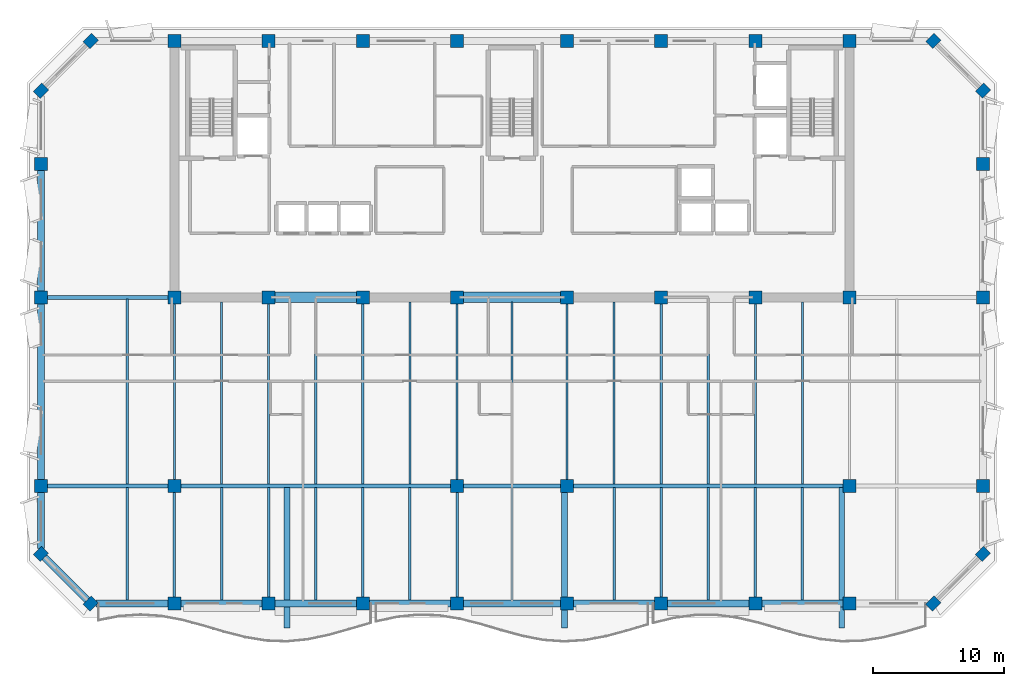
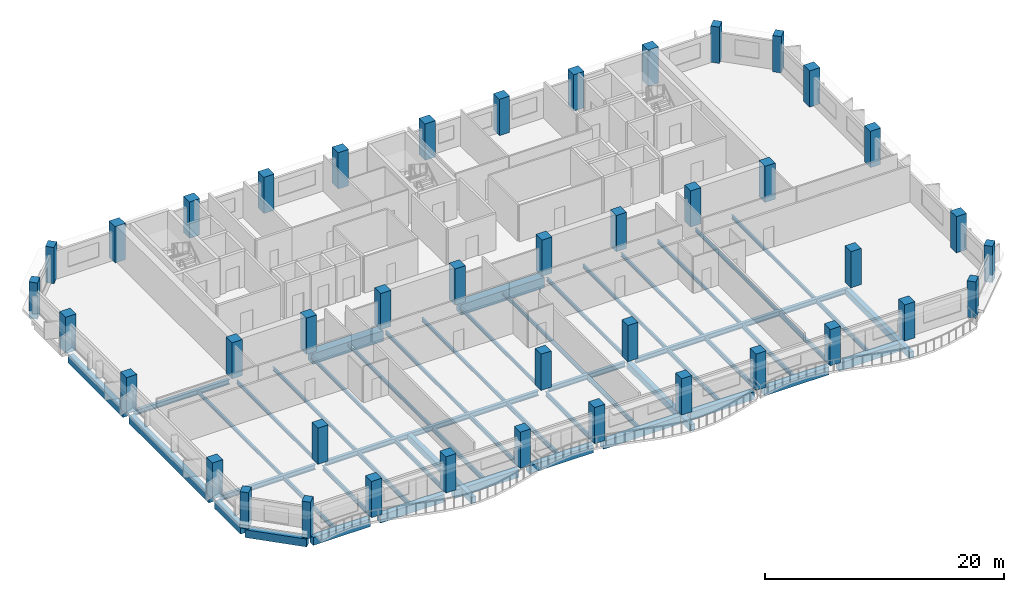
# One storey, part 1 of 11: 51 beams, 42 columns.
"""IFC4 building model written with IfcOpenShell, lengths in metres."""

from ifc_helpers import new_model, si_unit, direction, frame, origin, origin_2d, place, context, subcontext, project, spatial, rectangle, i_section, extrude, material, material_profile, profile_set, type_object, element, save


model = new_model("IFC4")

# Units and contexts
model_context = context("Model", 3, precision=1e-05, world=origin(), true_north=direction((0.0, 1.0)))
body_context = subcontext(model_context, "Body", "Model", "MODEL_VIEW")
ifc_project = project(units=[si_unit("LENGTHUNIT", "METRE"), si_unit("AREAUNIT", "SQUARE_METRE"), si_unit("VOLUMEUNIT", "CUBIC_METRE"), si_unit("PLANEANGLEUNIT", "RADIAN"), si_unit("MASSUNIT", "GRAM", prefix="KILO")], contexts=[model_context])

# Site, building, storey
site_placement = place(None, origin())
site = spatial("IfcSite", under=ifc_project, at=site_placement, CompositionType="ELEMENT")
building_placement = place(site_placement, origin())
building = spatial("IfcBuilding", under=site, at=building_placement, Name="Kaelvorn Grand Hotel", CompositionType="ELEMENT")
storey_placement = place(building_placement, frame((0.0, 0.0, 272.60009765625)))
storey = spatial("IfcBuildingStorey", under=building, at=storey_placement, Name="L67", CompositionType="ELEMENT", Elevation=272.60009765625)

# Columns
ifc_material_1 = material(Name="Concrete C60/75", Category="concrete")
ifc_material_profile_1 = material_profile(ifc_material_1, rectangle(XDim=0.89990234375, YDim=0.75, at=origin_2d()), Name="RC PILASTER 900x750")
ifc_profile_set_1 = profile_set([ifc_material_profile_1], Name="Concrete C60/75")
column_type_1 = type_object("IfcColumnType", Name="COL-PIL-900x750-C60", PredefinedType="PILASTER", material=ifc_profile_set_1)
for number, where, z_axis, x_axis, name in (
    (1, (9.800048828125, 6.0, 0.0), (0.0, 0.0, 1.0), (0.707106781187, 0.707106781187, 0.0), "L67 Structural Column CH-01"),
    (2, (74.199951171875, 6.0, 0.0), (0.0, 0.0, 1.0), (0.707106781187, 0.707106781187, 0.0), "L67 Structural Column CH-02"),
    (3, (78.0, 9.800048828125, 0.0), (0.0, 0.0, 1.0), (0.707106781187, 0.707106781187, 0.0), "L67 Structural Column CH-03"),
    (4, (78.0, 45.199951171875, 0.0), (0.0, 0.0, 1.0), (0.707106781187, 0.707106781187, 0.0), "L67 Structural Column CH-04"),
    (5, (74.199951171875, 49.0, 0.0), (0.0, 0.0, 1.0), (0.707106781187, 0.707106781187, 0.0), "L67 Structural Column CH-05"),
    (6, (9.800048828125, 49.0, 0.0), (0.0, 0.0, 1.0), (0.707106781187, 0.707106781187, 0.0), "L67 Structural Column CH-06"),
    (7, (6.0, 45.199951171875, 0.0), (0.0, 0.0, 1.0), (0.707106781187, 0.707106781187, 0.0), "L67 Structural Column CH-07"),
    (8, (6.0, 9.800048828125, 0.0), (0.0, 0.0, 1.0), (0.707106781187, 0.707106781187, 0.0), "L67 Structural Column CH-08"),
):
    element("IfcColumn", number, at=place(storey_placement, frame(where, z_axis=z_axis, x_axis=x_axis)), inside=storey, type_object=column_type_1, Name=name, PredefinedType="PILASTER", context=body_context, shape_type="SweptSolid", body=[
        extrude(rectangle(XDim=0.89990234375, YDim=0.75, at=origin_2d()), origin(), (0.0, 0.0, 1.0), 3.7099609375),
    ])
ifc_material_2 = material(Name="Concrete C50/60", Category="concrete")
ifc_material_profile_2 = material_profile(ifc_material_2, rectangle(XDim=1.0, YDim=1.0, at=origin_2d()), Name="RC COL 1000x1000")
ifc_profile_set_2 = profile_set([ifc_material_profile_2], Name="Concrete C50/60")
column_type_2 = type_object("IfcColumnType", Name="COL-RC-1000-C50", PredefinedType="COLUMN", material=ifc_profile_set_2)
for number, where, z_axis, x_axis, name in (
    (9, (16.199951171875, 6.0, 0.0), (0.0, 0.0, 1.0), (1.0, 0.0, 0.0), "L67 Structural Column S-01"),
    (10, (23.39990234375, 6.0, 0.0), (0.0, 0.0, 1.0), (1.0, 0.0, 0.0), "L67 Structural Column S-02"),
    (11, (30.60009765625, 6.0, 0.0), (0.0, 0.0, 1.0), (1.0, 0.0, 0.0), "L67 Structural Column S-03"),
    (12, (37.800048828125, 6.0, 0.0), (0.0, 0.0, 1.0), (1.0, 0.0, 0.0), "L67 Structural Column S-04"),
    (13, (46.199951171875, 6.0, 0.0), (0.0, 0.0, 1.0), (1.0, 0.0, 0.0), "L67 Structural Column S-05"),
    (14, (53.39990234375, 6.0, 0.0), (0.0, 0.0, 1.0), (1.0, 0.0, 0.0), "L67 Structural Column S-06"),
    (15, (60.60009765625, 6.0, 0.0), (0.0, 0.0, 1.0), (1.0, 0.0, 0.0), "L67 Structural Column S-07"),
    (16, (67.800048828125, 6.0, 0.0), (0.0, 0.0, 1.0), (1.0, 0.0, 0.0), "L67 Structural Column S-08"),
    (17, (6.0, 15.0, 0.0), (0.0, 0.0, 1.0), (1.0, 0.0, 0.0), "L67 Structural Column W-01"),
    (18, (78.0, 15.0, 0.0), (0.0, 0.0, 1.0), (1.0, 0.0, 0.0), "L67 Structural Column E-01"),
    (19, (6.0, 29.39990234375, 0.0), (0.0, 0.0, 1.0), (1.0, 0.0, 0.0), "L67 Structural Column W-02"),
    (20, (78.0, 29.39990234375, 0.0), (0.0, 0.0, 1.0), (1.0, 0.0, 0.0), "L67 Structural Column E-02"),
    (21, (6.0, 39.60009765625, 0.0), (0.0, 0.0, 1.0), (1.0, 0.0, 0.0), "L67 Structural Column W-03"),
    (22, (78.0, 39.60009765625, 0.0), (0.0, 0.0, 1.0), (1.0, 0.0, 0.0), "L67 Structural Column E-03"),
    (23, (16.199951171875, 15.0, 0.0), (0.0, 0.0, 1.0), (1.0, 0.0, 0.0), "L67 Structural Column M-01"),
    (24, (37.800048828125, 15.0, 0.0), (0.0, 0.0, 1.0), (1.0, 0.0, 0.0), "L67 Structural Column M-02"),
    (25, (46.199951171875, 15.0, 0.0), (0.0, 0.0, 1.0), (1.0, 0.0, 0.0), "L67 Structural Column M-03"),
    (26, (67.800048828125, 15.0, 0.0), (0.0, 0.0, 1.0), (1.0, 0.0, 0.0), "L67 Structural Column M-04"),
    (27, (16.199951171875, 29.39990234375, 0.0), (0.0, 0.0, 1.0), (1.0, 0.0, 0.0), "L67 Structural Column CR1-01"),
    (28, (16.199951171875, 49.0, 0.0), (0.0, 0.0, 1.0), (1.0, 0.0, 0.0), "L67 Structural Column CR2-01"),
    (29, (23.39990234375, 29.39990234375, 0.0), (0.0, 0.0, 1.0), (1.0, 0.0, 0.0), "L67 Structural Column CR1-02"),
    (30, (23.39990234375, 49.0, 0.0), (0.0, 0.0, 1.0), (1.0, 0.0, 0.0), "L67 Structural Column CR2-02"),
    (31, (30.60009765625, 29.39990234375, 0.0), (0.0, 0.0, 1.0), (1.0, 0.0, 0.0), "L67 Structural Column CR1-03"),
    (32, (30.60009765625, 49.0, 0.0), (0.0, 0.0, 1.0), (1.0, 0.0, 0.0), "L67 Structural Column CR2-03"),
    (33, (37.800048828125, 29.39990234375, 0.0), (0.0, 0.0, 1.0), (1.0, 0.0, 0.0), "L67 Structural Column CR1-04"),
    (34, (37.800048828125, 49.0, 0.0), (0.0, 0.0, 1.0), (1.0, 0.0, 0.0), "L67 Structural Column CR2-04"),
    (35, (46.199951171875, 29.39990234375, 0.0), (0.0, 0.0, 1.0), (1.0, 0.0, 0.0), "L67 Structural Column CR1-05"),
    (36, (46.199951171875, 49.0, 0.0), (0.0, 0.0, 1.0), (1.0, 0.0, 0.0), "L67 Structural Column CR2-05"),
    (37, (53.39990234375, 29.39990234375, 0.0), (0.0, 0.0, 1.0), (1.0, 0.0, 0.0), "L67 Structural Column CR1-06"),
    (38, (53.39990234375, 49.0, 0.0), (0.0, 0.0, 1.0), (1.0, 0.0, 0.0), "L67 Structural Column CR2-06"),
    (39, (60.60009765625, 29.39990234375, 0.0), (0.0, 0.0, 1.0), (1.0, 0.0, 0.0), "L67 Structural Column CR1-07"),
    (40, (60.60009765625, 49.0, 0.0), (0.0, 0.0, 1.0), (1.0, 0.0, 0.0), "L67 Structural Column CR2-07"),
    (41, (67.800048828125, 29.39990234375, 0.0), (0.0, 0.0, 1.0), (1.0, 0.0, 0.0), "L67 Structural Column CR1-08"),
    (42, (67.800048828125, 49.0, 0.0), (0.0, 0.0, 1.0), (1.0, 0.0, 0.0), "L67 Structural Column CR2-08"),
):
    element("IfcColumn", number, at=place(storey_placement, frame(where, z_axis=z_axis, x_axis=x_axis)), inside=storey, type_object=column_type_2, Name=name, PredefinedType="COLUMN", context=body_context, shape_type="SweptSolid", body=[
        extrude(rectangle(XDim=1.0, YDim=1.0, at=origin_2d()), origin(), (0.0, 0.0, 1.0), 3.7099609375),
    ])

# Beams
ifc_material_3 = material(Name="Steel S355", Category="steel")
ifc_material_profile_3 = material_profile(ifc_material_3, i_section(OverallWidth=0.300048828125, OverallDepth=0.5, WebThickness=0.014404296875, FlangeThickness=0.028076171875, FilletRadius=0.027099609375, at=origin_2d()), Name="HEB 500")
ifc_profile_set_3 = profile_set([ifc_material_profile_3], Name="Steel S355")
beam_type_1 = type_object("IfcBeamType", Name="BM-G-HEB500-S355", PredefinedType="BEAM", material=ifc_profile_set_3)
beam_1_placement = place(storey_placement, frame((6.485107421875, 15.0, -0.489990234375), z_axis=(1.0, 0.0, 0.0), x_axis=(0.0, 1.0, 0.0)))
element("IfcBeam", 43, at=beam_1_placement, inside=storey, type_object=beam_type_1, Name="L67 Primary Spine Steel Girder G-15 01", PredefinedType="BEAM", context=body_context, shape_type="SweptSolid", body=[
    extrude(i_section(OverallWidth=0.300048828125, OverallDepth=0.5, WebThickness=0.014404296875, FlangeThickness=0.028076171875, FilletRadius=0.027099609375, at=origin_2d()), origin(), (0.0, 0.0, 1.0), 9.22998046875),
])
beam_2_placement = place(storey_placement, frame((16.68505859375, 15.0, -0.489990234375), z_axis=(1.0, 0.0, 0.0), x_axis=(0.0, 1.0, 0.0)))
element("IfcBeam", 44, at=beam_2_placement, inside=storey, type_object=beam_type_1, Name="L67 Primary Spine Steel Girder G-15 02", PredefinedType="BEAM", context=body_context, shape_type="SweptSolid", body=[
    extrude(i_section(OverallWidth=0.300048828125, OverallDepth=0.5, WebThickness=0.014404296875, FlangeThickness=0.028076171875, FilletRadius=0.027099609375, at=origin_2d()), origin(), (0.0, 0.0, 1.0), 20.6298828125),
])
beam_3_placement = place(storey_placement, frame((38.284912109375, 15.0, -0.489990234375), z_axis=(1.0, 0.0, 0.0), x_axis=(0.0, 1.0, 0.0)))
element("IfcBeam", 45, at=beam_3_placement, inside=storey, type_object=beam_type_1, Name="L67 Primary Spine Steel Girder G-15 03", PredefinedType="BEAM", context=body_context, shape_type="SweptSolid", body=[
    extrude(i_section(OverallWidth=0.300048828125, OverallDepth=0.5, WebThickness=0.014404296875, FlangeThickness=0.028076171875, FilletRadius=0.027099609375, at=origin_2d()), origin(), (0.0, 0.0, 1.0), 7.43017578125),
])
beam_4_placement = place(storey_placement, frame((46.68505859375, 15.0, -0.489990234375), z_axis=(1.0, 0.0, 0.0), x_axis=(0.0, 1.0, 0.0)))
element("IfcBeam", 46, at=beam_4_placement, inside=storey, type_object=beam_type_1, Name="L67 Primary Spine Steel Girder G-15 04", PredefinedType="BEAM", context=body_context, shape_type="SweptSolid", body=[
    extrude(i_section(OverallWidth=0.300048828125, OverallDepth=0.5, WebThickness=0.014404296875, FlangeThickness=0.028076171875, FilletRadius=0.027099609375, at=origin_2d()), origin(), (0.0, 0.0, 1.0), 20.6298828125),
])
beam_5_placement = place(storey_placement, frame((6.485107421875, 29.39990234375, -0.489990234375), z_axis=(1.0, 0.0, 0.0), x_axis=(0.0, 1.0, 0.0)))
element("IfcBeam", 47, at=beam_5_placement, inside=storey, type_object=beam_type_1, Name="L67 West Core Wing Steel Girder G-29W 01", PredefinedType="BEAM", context=body_context, shape_type="SweptSolid", body=[
    extrude(i_section(OverallWidth=0.300048828125, OverallDepth=0.5, WebThickness=0.014404296875, FlangeThickness=0.028076171875, FilletRadius=0.027099609375, at=origin_2d()), origin(), (0.0, 0.0, 1.0), 9.22998046875),
])
ifc_material_profile_4 = material_profile(ifc_material_3, i_section(OverallWidth=0.169921875, OverallDepth=0.360107421875, WebThickness=0.008056640625, FlangeThickness=0.0126953125, FilletRadius=0.01806640625, at=origin_2d()), Name="IPE 360")
ifc_profile_set_4 = profile_set([ifc_material_profile_4], Name="Steel S355")
beam_type_2 = type_object("IfcBeamType", Name="BM-J-IPE360-S355", PredefinedType="JOIST", material=ifc_profile_set_4)
beam_6_placement = place(storey_placement, frame((12.60009765625, 15.135009765625, -0.420166015625), z_axis=(0.0, 1.0, 0.0), x_axis=(-1.0, 0.0, 0.0)))
element("IfcBeam", 48, at=beam_6_placement, inside=storey, type_object=beam_type_2, Name="L67 Composite Floor Joist JM-04", PredefinedType="JOIST", context=body_context, shape_type="SweptSolid", body=[
    extrude(i_section(OverallWidth=0.169921875, OverallDepth=0.360107421875, WebThickness=0.008056640625, FlangeThickness=0.0126953125, FilletRadius=0.01806640625, at=origin_2d()), origin(), (0.0, 0.0, 1.0), 14.1298828125),
])
beam_7_placement = place(storey_placement, frame((16.199951171875, 15.485107421875, -0.420166015625), z_axis=(0.0, 1.0, 0.0), x_axis=(-1.0, 0.0, 0.0)))
element("IfcBeam", 49, at=beam_7_placement, inside=storey, type_object=beam_type_2, Name="L67 Composite Floor Joist JM-05", PredefinedType="JOIST", context=body_context, shape_type="SweptSolid", body=[
    extrude(i_section(OverallWidth=0.169921875, OverallDepth=0.360107421875, WebThickness=0.008056640625, FlangeThickness=0.0126953125, FilletRadius=0.01806640625, at=origin_2d()), origin(), (0.0, 0.0, 1.0), 13.429931640625),
])
beam_8_placement = place(storey_placement, frame((19.800048828125, 15.135009765625, -0.420166015625), z_axis=(0.0, 1.0, 0.0), x_axis=(-1.0, 0.0, 0.0)))
element("IfcBeam", 50, at=beam_8_placement, inside=storey, type_object=beam_type_2, Name="L67 Composite Floor Joist JM-06", PredefinedType="JOIST", context=body_context, shape_type="SweptSolid", body=[
    extrude(i_section(OverallWidth=0.169921875, OverallDepth=0.360107421875, WebThickness=0.008056640625, FlangeThickness=0.0126953125, FilletRadius=0.01806640625, at=origin_2d()), origin(), (0.0, 0.0, 1.0), 13.925048828125),
])
beam_9_placement = place(storey_placement, frame((23.39990234375, 15.135009765625, -0.420166015625), z_axis=(0.0, 1.0, 0.0), x_axis=(-1.0, 0.0, 0.0)))
element("IfcBeam", 51, at=beam_9_placement, inside=storey, type_object=beam_type_2, Name="L67 Composite Floor Joist JM-07", PredefinedType="JOIST", context=body_context, shape_type="SweptSolid", body=[
    extrude(i_section(OverallWidth=0.169921875, OverallDepth=0.360107421875, WebThickness=0.008056640625, FlangeThickness=0.0126953125, FilletRadius=0.01806640625, at=origin_2d()), origin(), (0.0, 0.0, 1.0), 13.780029296875),
])
beam_10_placement = place(storey_placement, frame((27.0, 15.135009765625, -0.420166015625), z_axis=(0.0, 1.0, 0.0), x_axis=(-1.0, 0.0, 0.0)))
element("IfcBeam", 52, at=beam_10_placement, inside=storey, type_object=beam_type_2, Name="L67 Composite Floor Joist JM-08", PredefinedType="JOIST", context=body_context, shape_type="SweptSolid", body=[
    extrude(i_section(OverallWidth=0.169921875, OverallDepth=0.360107421875, WebThickness=0.008056640625, FlangeThickness=0.0126953125, FilletRadius=0.01806640625, at=origin_2d()), origin(), (0.0, 0.0, 1.0), 13.925048828125),
])
beam_11_placement = place(storey_placement, frame((30.60009765625, 15.135009765625, -0.420166015625), z_axis=(0.0, 1.0, 0.0), x_axis=(-1.0, 0.0, 0.0)))
element("IfcBeam", 53, at=beam_11_placement, inside=storey, type_object=beam_type_2, Name="L67 Composite Floor Joist JM-09", PredefinedType="JOIST", context=body_context, shape_type="SweptSolid", body=[
    extrude(i_section(OverallWidth=0.169921875, OverallDepth=0.360107421875, WebThickness=0.008056640625, FlangeThickness=0.0126953125, FilletRadius=0.01806640625, at=origin_2d()), origin(), (0.0, 0.0, 1.0), 13.780029296875),
])
beam_12_placement = place(storey_placement, frame((34.199951171875, 15.135009765625, -0.420166015625), z_axis=(0.0, 1.0, 0.0), x_axis=(-1.0, 0.0, 0.0)))
element("IfcBeam", 54, at=beam_12_placement, inside=storey, type_object=beam_type_2, Name="L67 Composite Floor Joist JM-10", PredefinedType="JOIST", context=body_context, shape_type="SweptSolid", body=[
    extrude(i_section(OverallWidth=0.169921875, OverallDepth=0.360107421875, WebThickness=0.008056640625, FlangeThickness=0.0126953125, FilletRadius=0.01806640625, at=origin_2d()), origin(), (0.0, 0.0, 1.0), 13.925048828125),
])
beam_13_placement = place(storey_placement, frame((37.800048828125, 15.485107421875, -0.420166015625), z_axis=(0.0, 1.0, 0.0), x_axis=(-1.0, 0.0, 0.0)))
element("IfcBeam", 55, at=beam_13_placement, inside=storey, type_object=beam_type_2, Name="L67 Composite Floor Joist JM-11", PredefinedType="JOIST", context=body_context, shape_type="SweptSolid", body=[
    extrude(i_section(OverallWidth=0.169921875, OverallDepth=0.360107421875, WebThickness=0.008056640625, FlangeThickness=0.0126953125, FilletRadius=0.01806640625, at=origin_2d()), origin(), (0.0, 0.0, 1.0), 13.429931640625),
])
beam_14_placement = place(storey_placement, frame((42.0, 15.135009765625, -0.420166015625), z_axis=(0.0, 1.0, 0.0), x_axis=(-1.0, 0.0, 0.0)))
element("IfcBeam", 56, at=beam_14_placement, inside=storey, type_object=beam_type_2, Name="L67 Composite Floor Joist JM-12", PredefinedType="JOIST", context=body_context, shape_type="SweptSolid", body=[
    extrude(i_section(OverallWidth=0.169921875, OverallDepth=0.360107421875, WebThickness=0.008056640625, FlangeThickness=0.0126953125, FilletRadius=0.01806640625, at=origin_2d()), origin(), (0.0, 0.0, 1.0), 13.925048828125),
])
beam_15_placement = place(storey_placement, frame((46.199951171875, 15.485107421875, -0.420166015625), z_axis=(0.0, 1.0, 0.0), x_axis=(-1.0, 0.0, 0.0)))
element("IfcBeam", 57, at=beam_15_placement, inside=storey, type_object=beam_type_2, Name="L67 Composite Floor Joist JM-13", PredefinedType="JOIST", context=body_context, shape_type="SweptSolid", body=[
    extrude(i_section(OverallWidth=0.169921875, OverallDepth=0.360107421875, WebThickness=0.008056640625, FlangeThickness=0.0126953125, FilletRadius=0.01806640625, at=origin_2d()), origin(), (0.0, 0.0, 1.0), 13.429931640625),
])
beam_16_placement = place(storey_placement, frame((49.800048828125, 15.135009765625, -0.420166015625), z_axis=(0.0, 1.0, 0.0), x_axis=(-1.0, 0.0, 0.0)))
element("IfcBeam", 58, at=beam_16_placement, inside=storey, type_object=beam_type_2, Name="L67 Composite Floor Joist JM-14", PredefinedType="JOIST", context=body_context, shape_type="SweptSolid", body=[
    extrude(i_section(OverallWidth=0.169921875, OverallDepth=0.360107421875, WebThickness=0.008056640625, FlangeThickness=0.0126953125, FilletRadius=0.01806640625, at=origin_2d()), origin(), (0.0, 0.0, 1.0), 13.925048828125),
])
beam_17_placement = place(storey_placement, frame((53.39990234375, 15.135009765625, -0.420166015625), z_axis=(0.0, 1.0, 0.0), x_axis=(-1.0, 0.0, 0.0)))
element("IfcBeam", 59, at=beam_17_placement, inside=storey, type_object=beam_type_2, Name="L67 Composite Floor Joist JM-15", PredefinedType="JOIST", context=body_context, shape_type="SweptSolid", body=[
    extrude(i_section(OverallWidth=0.169921875, OverallDepth=0.360107421875, WebThickness=0.008056640625, FlangeThickness=0.0126953125, FilletRadius=0.01806640625, at=origin_2d()), origin(), (0.0, 0.0, 1.0), 13.780029296875),
])
beam_18_placement = place(storey_placement, frame((57.0, 15.135009765625, -0.420166015625), z_axis=(0.0, 1.0, 0.0), x_axis=(-1.0, 0.0, 0.0)))
element("IfcBeam", 60, at=beam_18_placement, inside=storey, type_object=beam_type_2, Name="L67 Composite Floor Joist JM-16", PredefinedType="JOIST", context=body_context, shape_type="SweptSolid", body=[
    extrude(i_section(OverallWidth=0.169921875, OverallDepth=0.360107421875, WebThickness=0.008056640625, FlangeThickness=0.0126953125, FilletRadius=0.01806640625, at=origin_2d()), origin(), (0.0, 0.0, 1.0), 13.925048828125),
])
beam_19_placement = place(storey_placement, frame((60.60009765625, 15.135009765625, -0.420166015625), z_axis=(0.0, 1.0, 0.0), x_axis=(-1.0, 0.0, 0.0)))
element("IfcBeam", 61, at=beam_19_placement, inside=storey, type_object=beam_type_2, Name="L67 Composite Floor Joist JM-17", PredefinedType="JOIST", context=body_context, shape_type="SweptSolid", body=[
    extrude(i_section(OverallWidth=0.169921875, OverallDepth=0.360107421875, WebThickness=0.008056640625, FlangeThickness=0.0126953125, FilletRadius=0.01806640625, at=origin_2d()), origin(), (0.0, 0.0, 1.0), 13.780029296875),
])
beam_20_placement = place(storey_placement, frame((64.199951171875, 15.135009765625, -0.420166015625), z_axis=(0.0, 1.0, 0.0), x_axis=(-1.0, 0.0, 0.0)))
element("IfcBeam", 62, at=beam_20_placement, inside=storey, type_object=beam_type_2, Name="L67 Composite Floor Joist JM-18", PredefinedType="JOIST", context=body_context, shape_type="SweptSolid", body=[
    extrude(i_section(OverallWidth=0.169921875, OverallDepth=0.360107421875, WebThickness=0.008056640625, FlangeThickness=0.0126953125, FilletRadius=0.01806640625, at=origin_2d()), origin(), (0.0, 0.0, 1.0), 13.925048828125),
])
ifc_material_profile_5 = material_profile(ifc_material_3, i_section(OverallWidth=0.18994140625, OverallDepth=0.449951171875, WebThickness=0.009521484375, FlangeThickness=0.0146484375, FilletRadius=0.02099609375, at=origin_2d()), Name="IPE 450")
ifc_profile_set_5 = profile_set([ifc_material_profile_5], Name="Steel S355")
beam_type_3 = type_object("IfcBeamType", Name="BM-J-IPE450-S355", PredefinedType="JOIST", material=ifc_profile_set_5)
beam_21_placement = place(storey_placement, frame((12.60009765625, 6.260009765625, -0.465087890625), z_axis=(0.0, 1.0, 0.0), x_axis=(-1.0, 0.0, 0.0)))
element("IfcBeam", 63, at=beam_21_placement, inside=storey, type_object=beam_type_3, Name="L67 Composite Floor Joist JS-04", PredefinedType="JOIST", context=body_context, shape_type="SweptSolid", body=[
    extrude(i_section(OverallWidth=0.18994140625, OverallDepth=0.449951171875, WebThickness=0.009521484375, FlangeThickness=0.0146484375, FilletRadius=0.02099609375, at=origin_2d()), origin(), (0.0, 0.0, 1.0), 8.60498046875),
])
beam_22_placement = place(storey_placement, frame((16.199951171875, 6.485107421875, -0.465087890625), z_axis=(0.0, 1.0, 0.0), x_axis=(-1.0, 0.0, 0.0)))
element("IfcBeam", 64, at=beam_22_placement, inside=storey, type_object=beam_type_3, Name="L67 Composite Floor Joist JS-05", PredefinedType="JOIST", context=body_context, shape_type="SweptSolid", body=[
    extrude(i_section(OverallWidth=0.18994140625, OverallDepth=0.449951171875, WebThickness=0.009521484375, FlangeThickness=0.0146484375, FilletRadius=0.02099609375, at=origin_2d()), origin(), (0.0, 0.0, 1.0), 8.02978515625),
])
beam_23_placement = place(storey_placement, frame((19.800048828125, 6.260009765625, -0.465087890625), z_axis=(0.0, 1.0, 0.0), x_axis=(-1.0, 0.0, 0.0)))
element("IfcBeam", 65, at=beam_23_placement, inside=storey, type_object=beam_type_3, Name="L67 Composite Floor Joist JS-06", PredefinedType="JOIST", context=body_context, shape_type="SweptSolid", body=[
    extrude(i_section(OverallWidth=0.18994140625, OverallDepth=0.449951171875, WebThickness=0.009521484375, FlangeThickness=0.0146484375, FilletRadius=0.02099609375, at=origin_2d()), origin(), (0.0, 0.0, 1.0), 8.60498046875),
])
beam_24_placement = place(storey_placement, frame((23.39990234375, 6.485107421875, -0.465087890625), z_axis=(0.0, 1.0, 0.0), x_axis=(-1.0, 0.0, 0.0)))
element("IfcBeam", 66, at=beam_24_placement, inside=storey, type_object=beam_type_3, Name="L67 Composite Floor Joist JS-07", PredefinedType="JOIST", context=body_context, shape_type="SweptSolid", body=[
    extrude(i_section(OverallWidth=0.18994140625, OverallDepth=0.449951171875, WebThickness=0.009521484375, FlangeThickness=0.0146484375, FilletRadius=0.02099609375, at=origin_2d()), origin(), (0.0, 0.0, 1.0), 8.3798828125),
])
beam_25_placement = place(storey_placement, frame((27.0, 6.260009765625, -0.465087890625), z_axis=(0.0, 1.0, 0.0), x_axis=(-1.0, 0.0, 0.0)))
element("IfcBeam", 67, at=beam_25_placement, inside=storey, type_object=beam_type_3, Name="L67 Composite Floor Joist JS-08", PredefinedType="JOIST", context=body_context, shape_type="SweptSolid", body=[
    extrude(i_section(OverallWidth=0.18994140625, OverallDepth=0.449951171875, WebThickness=0.009521484375, FlangeThickness=0.0146484375, FilletRadius=0.02099609375, at=origin_2d()), origin(), (0.0, 0.0, 1.0), 8.60498046875),
])
beam_26_placement = place(storey_placement, frame((30.60009765625, 6.485107421875, -0.465087890625), z_axis=(0.0, 1.0, 0.0), x_axis=(-1.0, 0.0, 0.0)))
element("IfcBeam", 68, at=beam_26_placement, inside=storey, type_object=beam_type_3, Name="L67 Composite Floor Joist JS-09", PredefinedType="JOIST", context=body_context, shape_type="SweptSolid", body=[
    extrude(i_section(OverallWidth=0.18994140625, OverallDepth=0.449951171875, WebThickness=0.009521484375, FlangeThickness=0.0146484375, FilletRadius=0.02099609375, at=origin_2d()), origin(), (0.0, 0.0, 1.0), 8.3798828125),
])
beam_27_placement = place(storey_placement, frame((34.199951171875, 6.260009765625, -0.465087890625), z_axis=(0.0, 1.0, 0.0), x_axis=(-1.0, 0.0, 0.0)))
element("IfcBeam", 69, at=beam_27_placement, inside=storey, type_object=beam_type_3, Name="L67 Composite Floor Joist JS-10", PredefinedType="JOIST", context=body_context, shape_type="SweptSolid", body=[
    extrude(i_section(OverallWidth=0.18994140625, OverallDepth=0.449951171875, WebThickness=0.009521484375, FlangeThickness=0.0146484375, FilletRadius=0.02099609375, at=origin_2d()), origin(), (0.0, 0.0, 1.0), 8.60498046875),
])
beam_28_placement = place(storey_placement, frame((37.800048828125, 6.485107421875, -0.465087890625), z_axis=(0.0, 1.0, 0.0), x_axis=(-1.0, 0.0, 0.0)))
element("IfcBeam", 70, at=beam_28_placement, inside=storey, type_object=beam_type_3, Name="L67 Composite Floor Joist JS-11", PredefinedType="JOIST", context=body_context, shape_type="SweptSolid", body=[
    extrude(i_section(OverallWidth=0.18994140625, OverallDepth=0.449951171875, WebThickness=0.009521484375, FlangeThickness=0.0146484375, FilletRadius=0.02099609375, at=origin_2d()), origin(), (0.0, 0.0, 1.0), 8.02978515625),
])
for number, where, z_axis, x_axis, name in (
    (71, (42.0, 6.260009765625, -0.465087890625), (0.0, 1.0, 0.0), (-1.0, 0.0, 0.0), "L67 Composite Floor Joist JS-12"),
    (72, (49.800048828125, 6.260009765625, -0.465087890625), (0.0, 1.0, 0.0), (-1.0, 0.0, 0.0), "L67 Composite Floor Joist JS-14"),
):
    element("IfcBeam", number, at=place(storey_placement, frame(where, z_axis=z_axis, x_axis=x_axis)), inside=storey, type_object=beam_type_3, Name=name, PredefinedType="JOIST", context=body_context, shape_type="SweptSolid", body=[
        extrude(i_section(OverallWidth=0.18994140625, OverallDepth=0.449951171875, WebThickness=0.009521484375, FlangeThickness=0.0146484375, FilletRadius=0.02099609375, at=origin_2d()), origin(), (0.0, 0.0, 1.0), 8.60498046875),
    ])
beam_29_placement = place(storey_placement, frame((53.39990234375, 6.485107421875, -0.465087890625), z_axis=(0.0, 1.0, 0.0), x_axis=(-1.0, 0.0, 0.0)))
element("IfcBeam", 73, at=beam_29_placement, inside=storey, type_object=beam_type_3, Name="L67 Composite Floor Joist JS-15", PredefinedType="JOIST", context=body_context, shape_type="SweptSolid", body=[
    extrude(i_section(OverallWidth=0.18994140625, OverallDepth=0.449951171875, WebThickness=0.009521484375, FlangeThickness=0.0146484375, FilletRadius=0.02099609375, at=origin_2d()), origin(), (0.0, 0.0, 1.0), 8.3798828125),
])
beam_30_placement = place(storey_placement, frame((57.0, 6.260009765625, -0.465087890625), z_axis=(0.0, 1.0, 0.0), x_axis=(-1.0, 0.0, 0.0)))
element("IfcBeam", 74, at=beam_30_placement, inside=storey, type_object=beam_type_3, Name="L67 Composite Floor Joist JS-16", PredefinedType="JOIST", context=body_context, shape_type="SweptSolid", body=[
    extrude(i_section(OverallWidth=0.18994140625, OverallDepth=0.449951171875, WebThickness=0.009521484375, FlangeThickness=0.0146484375, FilletRadius=0.02099609375, at=origin_2d()), origin(), (0.0, 0.0, 1.0), 8.60498046875),
])
beam_31_placement = place(storey_placement, frame((60.60009765625, 6.485107421875, -0.465087890625), z_axis=(0.0, 1.0, 0.0), x_axis=(-1.0, 0.0, 0.0)))
element("IfcBeam", 75, at=beam_31_placement, inside=storey, type_object=beam_type_3, Name="L67 Composite Floor Joist JS-17", PredefinedType="JOIST", context=body_context, shape_type="SweptSolid", body=[
    extrude(i_section(OverallWidth=0.18994140625, OverallDepth=0.449951171875, WebThickness=0.009521484375, FlangeThickness=0.0146484375, FilletRadius=0.02099609375, at=origin_2d()), origin(), (0.0, 0.0, 1.0), 8.3798828125),
])
beam_32_placement = place(storey_placement, frame((64.199951171875, 6.260009765625, -0.465087890625), z_axis=(0.0, 1.0, 0.0), x_axis=(-1.0, 0.0, 0.0)))
element("IfcBeam", 76, at=beam_32_placement, inside=storey, type_object=beam_type_3, Name="L67 Composite Floor Joist JS-18", PredefinedType="JOIST", context=body_context, shape_type="SweptSolid", body=[
    extrude(i_section(OverallWidth=0.18994140625, OverallDepth=0.449951171875, WebThickness=0.009521484375, FlangeThickness=0.0146484375, FilletRadius=0.02099609375, at=origin_2d()), origin(), (0.0, 0.0, 1.0), 8.60498046875),
])
ifc_material_profile_6 = material_profile(ifc_material_1, rectangle(XDim=0.800048828125, YDim=1.10009765625, at=origin_2d()), Name="RC LINTEL 800x1100")
ifc_profile_set_6 = profile_set([ifc_material_profile_6], Name="Concrete C60/75")
beam_type_4 = type_object("IfcBeamType", Name="BM-LIN-800x1100-C60", PredefinedType="LINTEL", material=ifc_profile_set_6)
beam_33_placement = place(storey_placement, frame((23.580078125, 29.39990234375, -0.7900390625), z_axis=(1.0, 0.0, 0.0), x_axis=(0.0, 1.0, 0.0)))
element("IfcBeam", 77, at=beam_33_placement, inside=storey, type_object=beam_type_4, Name="L67 Rear-Core Coupling Lintel Beam CB1-01", PredefinedType="LINTEL", context=body_context, shape_type="SweptSolid", body=[
    extrude(rectangle(XDim=0.800048828125, YDim=1.10009765625, at=origin_2d()), origin(), (0.0, 0.0, 1.0), 6.83984375),
])
beam_34_placement = place(storey_placement, frame((37.97998046875, 29.39990234375, -0.7900390625), z_axis=(1.0, 0.0, 0.0), x_axis=(0.0, 1.0, 0.0)))
element("IfcBeam", 78, at=beam_34_placement, inside=storey, type_object=beam_type_4, Name="L67 Rear-Core Coupling Lintel Beam CB1-02", PredefinedType="LINTEL", context=body_context, shape_type="SweptSolid", body=[
    extrude(rectangle(XDim=0.800048828125, YDim=1.10009765625, at=origin_2d()), origin(), (0.0, 0.0, 1.0), 8.0400390625),
])
ifc_material_4 = material(Name="Concrete C40/50", Category="concrete")
ifc_material_profile_7 = material_profile(ifc_material_4, rectangle(XDim=0.449951171875, YDim=0.64990234375, at=origin_2d()), Name="RC RIB 450x650")
ifc_profile_set_7 = profile_set([ifc_material_profile_7], Name="Concrete C40/50")
beam_type_5 = type_object("IfcBeamType", Name="BM-RIB-450x650-C40", PredefinedType="SPANDREL", material=ifc_profile_set_7)
for number, where, z_axis, x_axis, name in (
    (79, (24.800048828125, 4.14990234375, -0.545166015625), (0.0, 1.0, 0.0), (-1.0, 0.0, 0.0), "L67 Cantilevered Balcony Back-Span Rib RB1-1"),
    (80, (46.0, 4.14990234375, -0.545166015625), (0.0, 1.0, 0.0), (-1.0, 0.0, 0.0), "L67 Cantilevered Balcony Back-Span Rib RB1-2"),
    (81, (67.199951171875, 4.14990234375, -0.545166015625), (0.0, 1.0, 0.0), (-1.0, 0.0, 0.0), "L67 Cantilevered Balcony Back-Span Rib RB1-3"),
):
    element("IfcBeam", number, at=place(storey_placement, frame(where, z_axis=z_axis, x_axis=x_axis)), inside=storey, type_object=beam_type_5, Name=name, PredefinedType="SPANDREL", context=body_context, shape_type="SweptSolid", body=[
        extrude(rectangle(XDim=0.449951171875, YDim=0.64990234375, at=origin_2d()), origin(), (0.0, 0.0, 1.0), 10.715087890625),
    ])
ifc_material_profile_8 = material_profile(ifc_material_2, rectangle(XDim=0.550048828125, YDim=0.800048828125, at=origin_2d()), Name="RC SPANDREL 550x800")
ifc_profile_set_8 = profile_set([ifc_material_profile_8], Name="Concrete C50/60")
beam_type_6 = type_object("IfcBeamType", Name="BM-SP-550x800-C50", PredefinedType="SPANDREL", material=ifc_profile_set_8)
beam_35_placement = place(storey_placement, frame((10.205078125, 6.0, -0.64013671875), z_axis=(1.0, 0.0, 0.0), x_axis=(0.0, 1.0, 0.0)))
element("IfcBeam", 82, at=beam_35_placement, inside=storey, type_object=beam_type_6, Name="L67 South Perimeter Spandrel 01", PredefinedType="SPANDREL", context=body_context, shape_type="SweptSolid", body=[
    extrude(rectangle(XDim=0.550048828125, YDim=0.800048828125, at=origin_2d()), origin(), (0.0, 0.0, 1.0), 5.510009765625),
])
for number, where, z_axis, x_axis, name in (
    (83, (16.68505859375, 6.0, -0.64013671875), (1.0, 0.0, 0.0), (0.0, 1.0, 0.0), "L67 South Perimeter Spandrel 02"),
    (84, (23.885009765625, 6.0, -0.64013671875), (1.0, 0.0, 0.0), (0.0, 1.0, 0.0), "L67 South Perimeter Spandrel 03"),
    (85, (31.0849609375, 6.0, -0.64013671875), (1.0, 0.0, 0.0), (0.0, 1.0, 0.0), "L67 South Perimeter Spandrel 04"),
):
    element("IfcBeam", number, at=place(storey_placement, frame(where, z_axis=z_axis, x_axis=x_axis)), inside=storey, type_object=beam_type_6, Name=name, PredefinedType="SPANDREL", context=body_context, shape_type="SweptSolid", body=[
        extrude(rectangle(XDim=0.550048828125, YDim=0.800048828125, at=origin_2d()), origin(), (0.0, 0.0, 1.0), 6.22998046875),
    ])
beam_36_placement = place(storey_placement, frame((38.284912109375, 6.0, -0.64013671875), z_axis=(1.0, 0.0, 0.0), x_axis=(0.0, 1.0, 0.0)))
element("IfcBeam", 86, at=beam_36_placement, inside=storey, type_object=beam_type_6, Name="L67 South Perimeter Spandrel 05", PredefinedType="SPANDREL", context=body_context, shape_type="SweptSolid", body=[
    extrude(rectangle(XDim=0.550048828125, YDim=0.800048828125, at=origin_2d()), origin(), (0.0, 0.0, 1.0), 7.43017578125),
])
for number, where, z_axis, x_axis, name in (
    (87, (46.68505859375, 6.0, -0.64013671875), (1.0, 0.0, 0.0), (0.0, 1.0, 0.0), "L67 South Perimeter Spandrel 06"),
    (88, (53.885009765625, 6.0, -0.64013671875), (1.0, 0.0, 0.0), (0.0, 1.0, 0.0), "L67 South Perimeter Spandrel 07"),
    (89, (61.0849609375, 6.0, -0.64013671875), (1.0, 0.0, 0.0), (0.0, 1.0, 0.0), "L67 South Perimeter Spandrel 08"),
):
    element("IfcBeam", number, at=place(storey_placement, frame(where, z_axis=z_axis, x_axis=x_axis)), inside=storey, type_object=beam_type_6, Name=name, PredefinedType="SPANDREL", context=body_context, shape_type="SweptSolid", body=[
        extrude(rectangle(XDim=0.550048828125, YDim=0.800048828125, at=origin_2d()), origin(), (0.0, 0.0, 1.0), 6.22998046875),
    ])
beam_37_placement = place(storey_placement, frame((6.0, 10.205078125, -0.64013671875), z_axis=(0.0, 1.0, 0.0), x_axis=(-1.0, 0.0, 0.0)))
element("IfcBeam", 90, at=beam_37_placement, inside=storey, type_object=beam_type_6, Name="L67 West Perimeter Spandrel 01", PredefinedType="SPANDREL", context=body_context, shape_type="SweptSolid", body=[
    extrude(rectangle(XDim=0.550048828125, YDim=0.800048828125, at=origin_2d()), origin(), (0.0, 0.0, 1.0), 4.309814453125),
])
beam_38_placement = place(storey_placement, frame((6.0, 15.485107421875, -0.64013671875), z_axis=(0.0, 1.0, 0.0), x_axis=(-1.0, 0.0, 0.0)))
element("IfcBeam", 91, at=beam_38_placement, inside=storey, type_object=beam_type_6, Name="L67 West Perimeter Spandrel 02", PredefinedType="SPANDREL", context=body_context, shape_type="SweptSolid", body=[
    extrude(rectangle(XDim=0.550048828125, YDim=0.800048828125, at=origin_2d()), origin(), (0.0, 0.0, 1.0), 13.429931640625),
])
beam_39_placement = place(storey_placement, frame((6.0, 29.885009765625, -0.64013671875), z_axis=(0.0, 1.0, 0.0), x_axis=(-1.0, 0.0, 0.0)))
element("IfcBeam", 92, at=beam_39_placement, inside=storey, type_object=beam_type_6, Name="L67 West Perimeter Spandrel 03", PredefinedType="SPANDREL", context=body_context, shape_type="SweptSolid", body=[
    extrude(rectangle(XDim=0.550048828125, YDim=0.800048828125, at=origin_2d()), origin(), (0.0, 0.0, 1.0), 9.22998046875),
])
beam_40_placement = place(storey_placement, frame((6.0, 9.800048828125, -0.64013671875), z_axis=(0.707106781187, -0.707106781187, 0.0), x_axis=(0.707106781187, 0.707106781187, 0.0)))
element("IfcBeam", 93, at=beam_40_placement, inside=storey, type_object=beam_type_6, Name="L67 Chamfer Spandrel Beam 4", PredefinedType="SPANDREL", context=body_context, shape_type="SweptSolid", body=[
    extrude(rectangle(XDim=0.550048828125, YDim=0.800048828125, at=origin_2d()), origin(), (0.0, 0.0, 1.0), 5.3740234375),
])

save(model, "model.ifc")
